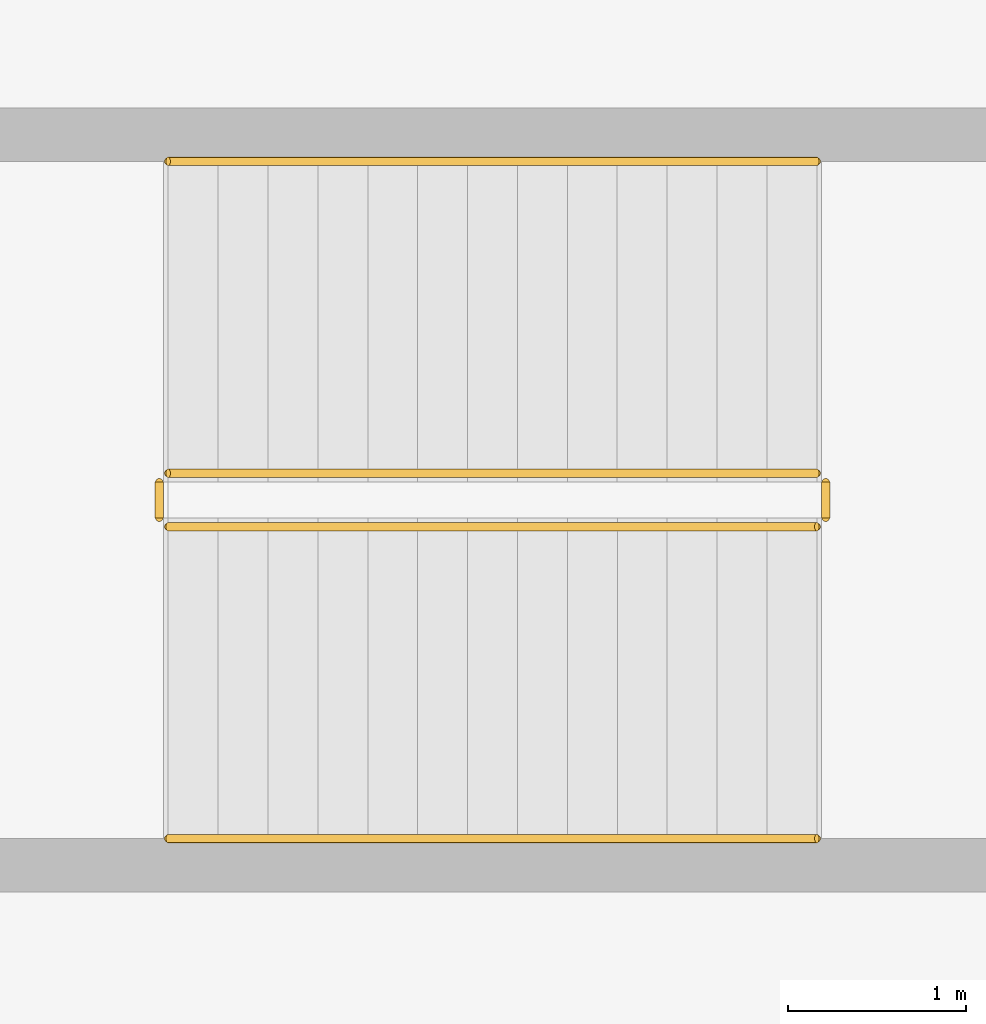
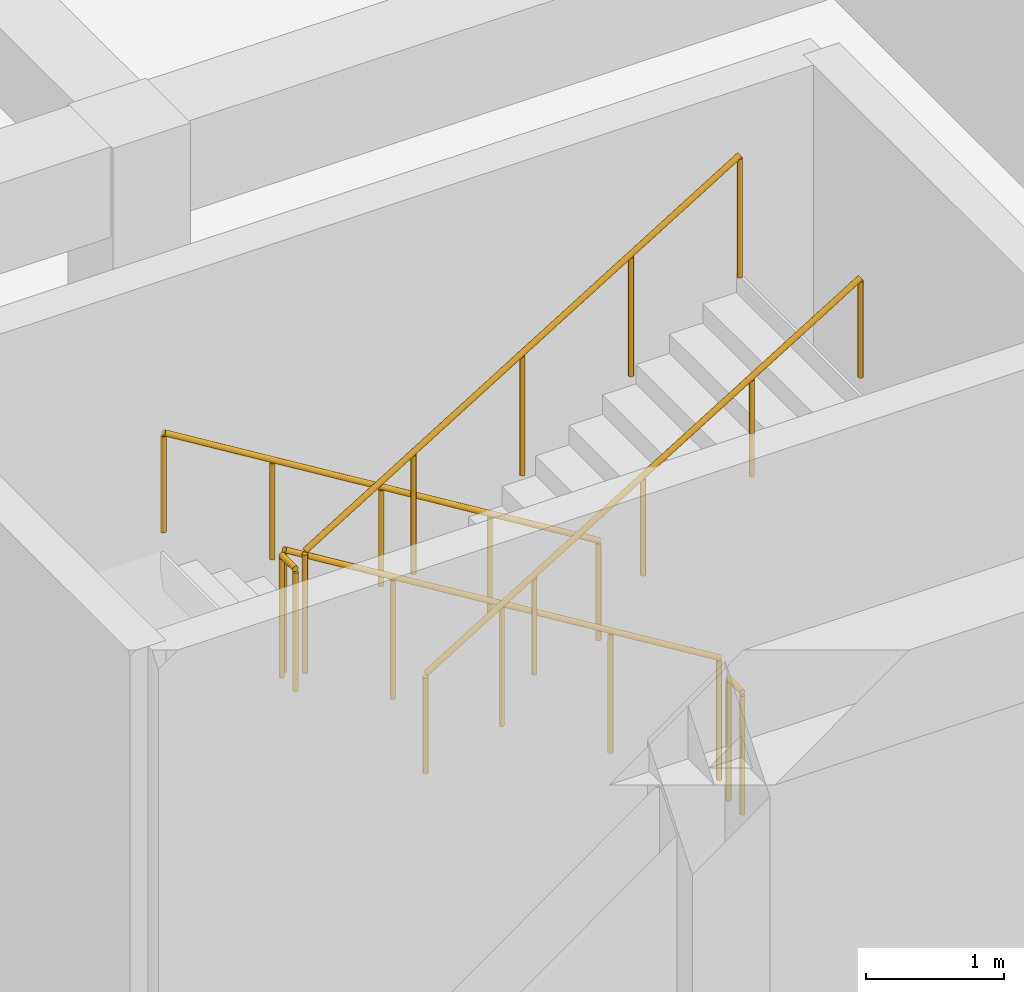
# One storey, part 34 of 51: 6 railings.
"""IFC4 building model written with IfcOpenShell, lengths in metres."""

from ifc_helpers import new_model, si_unit, direction, frame, origin, origin_2d, place, context, subcontext, project, spatial, circle, extrude, material, type_object, element, save


model = new_model("IFC4")

# Units and contexts
model_context = context("Model", 3, precision=1e-05, world=origin(), true_north=direction((0.0, 1.0)))
body_context = subcontext(model_context, "Body", "Model", "MODEL_VIEW")
ifc_project = project(units=[si_unit("LENGTHUNIT", "METRE"), si_unit("AREAUNIT", "SQUARE_METRE"), si_unit("VOLUMEUNIT", "CUBIC_METRE"), si_unit("PLANEANGLEUNIT", "RADIAN"), si_unit("MASSUNIT", "GRAM", prefix="KILO")], contexts=[model_context])

# Site, building, storey
site_placement = place(None, origin())
site = spatial("IfcSite", under=ifc_project, at=site_placement, CompositionType="ELEMENT")
building_placement = place(site_placement, origin())
building = spatial("IfcBuilding", under=site, at=building_placement, Name="Varncliffe General Hospital", CompositionType="ELEMENT")
storey_placement = place(building_placement, frame((0.0, 0.0, -4.800048828125)))
storey = spatial("IfcBuildingStorey", under=building, at=storey_placement, Name="B1", CompositionType="ELEMENT", Elevation=-4.800048828125)

# Railings
ifc_material = material(Name="Powder-coated hospital steel guardrail and handrail", Category="steel")
railing_type_1 = type_object("IfcRailingType", Name="Stair and Ramp Handrail HR46", PredefinedType="HANDRAIL", material=ifc_material)
railing_1_placement = place(storey_placement, frame((11.199951171875, 22.050048828125, 0.346923828125)))
element("IfcRailing", 1, at=railing_1_placement, inside=storey, type_object=railing_type_1, Name="B1 ST08 stair handrail 1", PredefinedType="HANDRAIL", context=body_context, shape_type="SweptSolid", body=[
    extrude(circle(Radius=0.02392578125, at=origin_2d()), frame((0.0, 0.0, 0.8759765625), z_axis=(-0.852850264322, 0.0, 0.5221555579), x_axis=(0.0, -1.0, 0.0)), (0.0, 0.0, 1.0), 4.267822265625),
    extrude(circle(Radius=0.02099609375, at=origin_2d()), origin(), (0.0, 0.0, 1.0), 0.851806640625),
    extrude(circle(Radius=0.02099609375, at=origin_2d()), frame((-0.909912109375, 0.0, 0.55712890625)), (0.0, 0.0, 1.0), 0.851806640625),
    extrude(circle(Radius=0.02099609375, at=origin_2d()), frame((-1.81982421875, 0.0, 1.1142578125)), (0.0, 0.0, 1.0), 0.851806640625),
    extrude(circle(Radius=0.02099609375, at=origin_2d()), frame((-2.72998046875, 0.0, 1.67138671875)), (0.0, 0.0, 1.0), 0.851806640625),
    extrude(circle(Radius=0.02099609375, at=origin_2d()), frame((-3.639892578125, 0.0, 2.228515625)), (0.0, 0.0, 1.0), 0.851806640625),
])
railing_2_placement = place(storey_placement, frame((7.56005859375, 18.25, 2.746826171875)))
element("IfcRailing", 2, at=railing_2_placement, inside=storey, type_object=railing_type_1, Name="B1 ST08 stair handrail 2", PredefinedType="HANDRAIL", context=body_context, shape_type="SweptSolid", body=[
    extrude(circle(Radius=0.02392578125, at=origin_2d()), frame((0.0, 0.0, 0.8759765625), z_axis=(0.852824790078, 0.0, 0.522197163366), x_axis=(0.0, 1.0, 0.0)), (0.0, 0.0, 1.0), 4.26806640625),
    extrude(circle(Radius=0.02099609375, at=origin_2d()), origin(), (0.0, 0.0, 1.0), 0.851806640625),
    extrude(circle(Radius=0.02099609375, at=origin_2d()), frame((0.909912109375, 0.0, 0.55712890625)), (0.0, 0.0, 1.0), 0.851806640625),
    extrude(circle(Radius=0.02099609375, at=origin_2d()), frame((1.81982421875, 0.0, 1.1142578125)), (0.0, 0.0, 1.0), 0.851806640625),
    extrude(circle(Radius=0.02099609375, at=origin_2d()), frame((2.72998046875, 0.0, 1.671630859375)), (0.0, 0.0, 1.0), 0.851806640625),
    extrude(circle(Radius=0.02099609375, at=origin_2d()), frame((3.639892578125, 0.0, 2.228759765625)), (0.0, 0.0, 1.0), 0.851806640625),
])
railing_type_2 = type_object("IfcRailingType", Name="Stairwell Guardrail SG49", PredefinedType="GUARDRAIL", material=ifc_material)
railing_3_placement = place(storey_placement, frame((11.199951171875, 20.300048828125, 0.17138671875)))
element("IfcRailing", 3, at=railing_3_placement, inside=storey, type_object=railing_type_2, Name="B1 ST08 stair guard 1", PredefinedType="GUARDRAIL", context=body_context, shape_type="SweptSolid", body=[
    extrude(circle(Radius=0.02392578125, at=origin_2d()), frame((0.0, 0.0, 1.076171875), z_axis=(-0.852824790078, 0.0, 0.522197163366), x_axis=(0.0, -1.0, 0.0)), (0.0, 0.0, 1.0), 4.26806640625),
    extrude(circle(Radius=0.02099609375, at=origin_2d()), origin(), (0.0, 0.0, 1.0), 1.052001953125),
    extrude(circle(Radius=0.02099609375, at=origin_2d()), frame((-0.909912109375, 0.0, 0.55712890625)), (0.0, 0.0, 1.0), 1.052001953125),
    extrude(circle(Radius=0.02099609375, at=origin_2d()), frame((-1.81982421875, 0.0, 1.1142578125)), (0.0, 0.0, 1.0), 1.052001953125),
    extrude(circle(Radius=0.02099609375, at=origin_2d()), frame((-2.72998046875, 0.0, 1.671630859375)), (0.0, 0.0, 1.0), 1.052001953125),
    extrude(circle(Radius=0.02099609375, at=origin_2d()), frame((-3.639892578125, 0.0, 2.228759765625)), (0.0, 0.0, 1.0), 1.052001953125),
])
railing_4_placement = place(storey_placement, frame((7.510009765625, 20.25, 2.400146484375)))
element("IfcRailing", 4, at=railing_4_placement, inside=storey, type_object=railing_type_2, Name="B1 ST08 stair guard 2", PredefinedType="GUARDRAIL", context=body_context, shape_type="SweptSolid", body=[
    extrude(circle(Radius=0.02392578125, at=origin_2d()), frame((0.0, 0.0, 1.076171875), z_axis=(0.0, -1.0, 0.0), x_axis=(1.0, 0.0, 0.0)), (0.0, 0.0, 1.0), 0.199951171875),
    extrude(circle(Radius=0.02099609375, at=origin_2d()), origin(), (0.0, 0.0, 1.0), 1.052001953125),
    extrude(circle(Radius=0.02099609375, at=origin_2d()), frame((0.0, -0.199951171875, 0.0)), (0.0, 0.0, 1.0), 1.052001953125),
])
railing_5_placement = place(storey_placement, frame((7.56005859375, 20.0, 2.571533203125)))
element("IfcRailing", 5, at=railing_5_placement, inside=storey, type_object=railing_type_2, Name="B1 ST08 stair guard 3", PredefinedType="GUARDRAIL", context=body_context, shape_type="SweptSolid", body=[
    extrude(circle(Radius=0.02392578125, at=origin_2d()), frame((0.0, 0.0, 1.076171875), z_axis=(0.852850264322, 0.0, 0.5221555579), x_axis=(0.0, 1.0, 0.0)), (0.0, 0.0, 1.0), 4.267822265625),
    extrude(circle(Radius=0.02099609375, at=origin_2d()), origin(), (0.0, 0.0, 1.0), 1.052001953125),
    extrude(circle(Radius=0.02099609375, at=origin_2d()), frame((0.909912109375, 0.0, 0.55712890625)), (0.0, 0.0, 1.0), 1.052001953125),
    extrude(circle(Radius=0.02099609375, at=origin_2d()), frame((1.81982421875, 0.0, 1.1142578125)), (0.0, 0.0, 1.0), 1.052001953125),
    extrude(circle(Radius=0.02099609375, at=origin_2d()), frame((2.72998046875, 0.0, 1.67138671875)), (0.0, 0.0, 1.0), 1.052001953125),
    extrude(circle(Radius=0.02099609375, at=origin_2d()), frame((3.639892578125, 0.0, 2.228515625)), (0.0, 0.0, 1.0), 1.052001953125),
])
railing_6_placement = place(storey_placement, frame((11.25, 20.25, 0.0)))
element("IfcRailing", 6, at=railing_6_placement, inside=storey, type_object=railing_type_2, Name="B1 ST08 stair guard 4", PredefinedType="GUARDRAIL", context=body_context, shape_type="SweptSolid", body=[
    extrude(circle(Radius=0.02392578125, at=origin_2d()), frame((0.0, 0.0, 1.076171875), z_axis=(0.0, -1.0, 0.0), x_axis=(1.0, 0.0, 0.0)), (0.0, 0.0, 1.0), 0.199951171875),
    extrude(circle(Radius=0.02099609375, at=origin_2d()), origin(), (0.0, 0.0, 1.0), 1.052001953125),
    extrude(circle(Radius=0.02099609375, at=origin_2d()), frame((0.0, -0.199951171875, 0.0)), (0.0, 0.0, 1.0), 1.052001953125),
])

save(model, "model.ifc")
